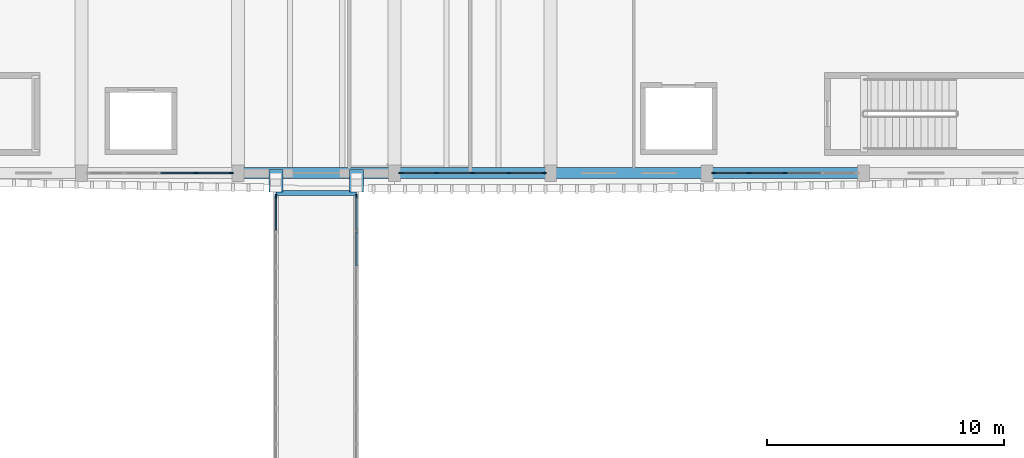
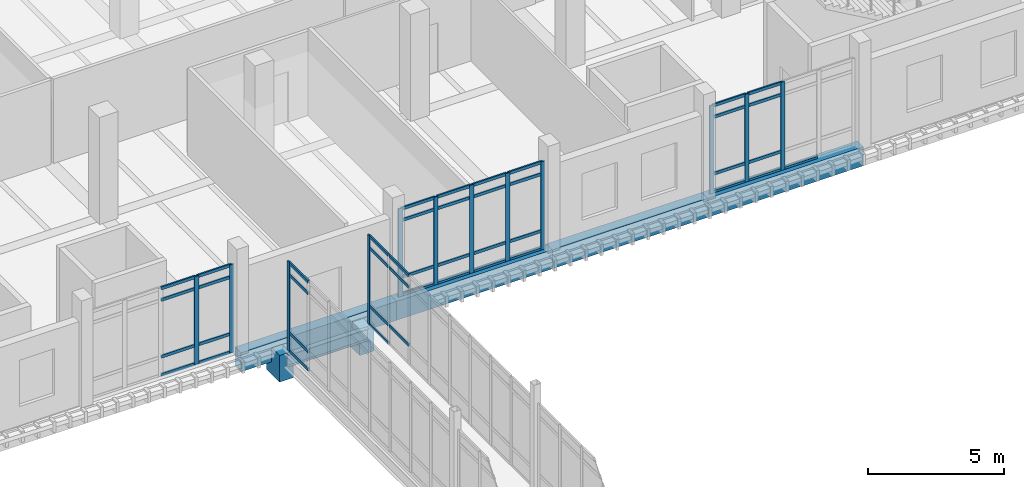
# One storey, part 58 of 125: 56 members, 7 beams, 5 elements without a shape of their own.
"""IFC4 building model written with IfcOpenShell, lengths in metres."""

from ifc_helpers import new_model, si_unit, direction, frame, origin, origin_2d, place, context, subcontext, project, spatial, rectangle, i_section, extrude, material, material_profile, profile_set, type_object, element, aggregate, save


model = new_model("IFC4")

# Units and contexts
model_context = context("Model", 3, precision=1e-05, world=origin(), true_north=direction((0.0, 1.0)))
body_context = subcontext(model_context, "Body", "Model", "MODEL_VIEW")
ifc_project = project(units=[si_unit("LENGTHUNIT", "METRE"), si_unit("AREAUNIT", "SQUARE_METRE"), si_unit("VOLUMEUNIT", "CUBIC_METRE"), si_unit("PLANEANGLEUNIT", "RADIAN"), si_unit("MASSUNIT", "GRAM", prefix="KILO")], contexts=[model_context])

# Site, building, storey
site_placement = place(None, origin())
site = spatial("IfcSite", under=ifc_project, at=site_placement, CompositionType="ELEMENT")
building_placement = place(site_placement, origin())
building = spatial("IfcBuilding", under=site, at=building_placement, Name="Dornvale Research Institute", CompositionType="ELEMENT")
storey_placement = place(building_placement, frame((0.0, 0.0, 5.39990234375)))
storey = spatial("IfcBuildingStorey", under=building, at=storey_placement, Name="L01", CompositionType="ELEMENT", Elevation=5.39990234375)

# Beam
ifc_material_1 = material(Name="Steel ASTM A992 Grade 50", Category="steel")
ifc_material_profile_1 = material_profile(ifc_material_1, i_section(OverallWidth=0.2099609375, OverallDepth=0.535888671875, WebThickness=0.010986328125, FlangeThickness=0.017333984375, at=origin_2d()), Name="W21X68")
ifc_profile_set_1 = profile_set([ifc_material_profile_1], Name="Steel ASTM A992 Grade 50")
beam_type_1 = type_object("IfcBeamType", Name="Beam_Steel_W21X68", PredefinedType="BEAM", material=ifc_profile_set_1)
beam_1_placement = place(storey_placement, frame((140.199951171875, 91.550048828125, -0.48779296875), z_axis=(1.0, 0.0, 0.0), x_axis=(0.0, 1.0, 0.0)))
element("IfcBeam", 1, at=beam_1_placement, inside=storey, type_object=beam_type_1, Name="L01 BR-7 north cross beam #2026", PredefinedType="BEAM", context=body_context, shape_type="SweptSolid", body=[
    extrude(i_section(OverallWidth=0.2099609375, OverallDepth=0.535888671875, WebThickness=0.010986328125, FlangeThickness=0.017333984375, at=origin_2d()), origin(), (0.0, 0.0, 1.0), 3.400146484375),
])

# Curtain wall, member
ifc_material_2 = material(Name="Low-E Argon Double Insulating Glazing Unit", Category="glass")
curtain_wall_type_1 = type_object("IfcCurtainWallType", Name="UnitisedCurtainWall_V2_12000x4000", PredefinedType="USERDEFINED", material=ifc_material_2)
curtain_wall_1_placement = place(storey_placement, origin())
curtain_wall_1 = element("IfcCurtainWall", 2, at=curtain_wall_1_placement, inside=storey, type_object=curtain_wall_type_1, Name="L01 V2 unitised curtain wall CW-44 #239", ObjectType="UNITISED CURTAIN WALL", PredefinedType="USERDEFINED")
ifc_material_3 = material(Name="Anodized Aluminum AA 6063-T6 Thermally Broken Frame", Category="aluminium")
ifc_material_profile_2 = material_profile(ifc_material_3, rectangle(XDim=0.06494140625, YDim=0.1650390625, at=origin_2d()), Name="ALU MULLION 65x165")
ifc_profile_set_2 = profile_set([ifc_material_profile_2], Name="Anodized Aluminum AA 6063-T6 Thermally Broken Frame")
member_type_1 = type_object("IfcMemberType", Name="Mullion_Atrium_65x165", PredefinedType="MULLION", material=ifc_profile_set_2)
member_1_placement = place(storey_placement, frame((140.199951171875, 91.41748046875, 0.0), z_axis=(0.0, 0.0, 1.0), x_axis=(-1.0, 0.0, 0.0)))
member_1 = element("IfcMember", 3, at=member_1_placement, type_object=member_type_1, Name="CW-44 mullion 9", PredefinedType="MULLION", context=body_context, shape_type="SweptSolid", body=[
    extrude(rectangle(XDim=0.06494140625, YDim=0.1650390625, at=origin_2d()), origin(), (0.0, 0.0, 1.0), 4.0),
])

curtain_wall_2_placement = place(storey_placement, origin())
curtain_wall_2 = element("IfcCurtainWall", 4, at=curtain_wall_2_placement, inside=storey, type_object=curtain_wall_type_1, Name="L01 V2 unitised curtain wall CW-44 #240", ObjectType="UNITISED CURTAIN WALL", PredefinedType="USERDEFINED")
member_2_placement = place(storey_placement, frame((143.60009765625, 91.41748046875, 0.0), z_axis=(0.0, 0.0, 1.0), x_axis=(1.0, 0.0, 0.0)))
member_2 = element("IfcMember", 5, at=member_2_placement, type_object=member_type_1, Name="CW-44 mullion 1", PredefinedType="MULLION", context=body_context, shape_type="SweptSolid", body=[
    extrude(rectangle(XDim=0.06494140625, YDim=0.1650390625, at=origin_2d()), origin(), (0.0, 0.0, 1.0), 4.0),
])

# Curtain wall, members
ifc_material_4 = material(Name="Low-E Argon Double Insulating Glazing Unit", Category="glass")
curtain_wall_type_2 = type_object("IfcCurtainWallType", Name="UnitisedCurtainWall_V4_6100x3950", PredefinedType="USERDEFINED", material=ifc_material_4)
curtain_wall_3_placement = place(storey_placement, origin())
curtain_wall_3 = element("IfcCurtainWall", 6, at=curtain_wall_3_placement, inside=storey, type_object=curtain_wall_type_2, Name="L01 V4 unitised curtain wall CW-11 #78", ObjectType="UNITISED CURTAIN WALL", PredefinedType="USERDEFINED")
ifc_material_5 = material(Name="Anodized Aluminum AA 6063-T6 Thermally Broken Frame", Category="aluminium")
ifc_material_profile_3 = material_profile(ifc_material_5, rectangle(XDim=0.06494140625, YDim=0.179931640625, at=origin_2d()), Name="ALU MULLION 65x180")
ifc_profile_set_3 = profile_set([ifc_material_profile_3], Name="Anodized Aluminum AA 6063-T6 Thermally Broken Frame")
member_type_2 = type_object("IfcMemberType", Name="Mullion_CW_65x180", PredefinedType="MULLION", material=ifc_profile_set_3)
member_3_placement = place(storey_placement, frame((161.699951171875, 92.39990234375, 0.0), z_axis=(0.0, 0.0, 1.0), x_axis=(0.0, -1.0, 0.0)))
member_3 = element("IfcMember", 7, at=member_3_placement, type_object=member_type_2, Name="CW-11 mullion 3", PredefinedType="MULLION", context=body_context, shape_type="SweptSolid", body=[
    extrude(rectangle(XDim=0.06494140625, YDim=0.179931640625, at=origin_2d()), origin(), (0.0, 0.0, 1.0), 3.9501953125),
])
member_4_placement = place(storey_placement, frame((160.175048828125, 92.39990234375, 0.0), z_axis=(0.0, 0.0, 1.0), x_axis=(0.0, -1.0, 0.0)))
member_4 = element("IfcMember", 8, at=member_4_placement, type_object=member_type_2, Name="CW-11 mullion 4", PredefinedType="MULLION", context=body_context, shape_type="SweptSolid", body=[
    extrude(rectangle(XDim=0.06494140625, YDim=0.179931640625, at=origin_2d()), origin(), (0.0, 0.0, 1.0), 3.9501953125),
])
member_5_placement = place(storey_placement, frame((158.6826171875, 92.39990234375, 0.0), z_axis=(0.0, 0.0, 1.0), x_axis=(0.0, -1.0, 0.0)))
member_5 = element("IfcMember", 9, at=member_5_placement, type_object=member_type_2, Name="CW-11 mullion 5", PredefinedType="MULLION", context=body_context, shape_type="SweptSolid", body=[
    extrude(rectangle(XDim=0.06494140625, YDim=0.179931640625, at=origin_2d()), origin(), (0.0, 0.0, 1.0), 3.9501953125),
])

curtain_wall_4_placement = place(storey_placement, origin())
curtain_wall_4 = element("IfcCurtainWall", 10, at=curtain_wall_4_placement, inside=storey, type_object=curtain_wall_type_2, Name="L01 V4 unitised curtain wall CW-11 #79", ObjectType="UNITISED CURTAIN WALL", PredefinedType="USERDEFINED")
member_6_placement = place(storey_placement, frame((151.517578125, 92.39990234375, 0.0), z_axis=(0.0, 0.0, 1.0), x_axis=(0.0, -1.0, 0.0)))
member_6 = element("IfcMember", 11, at=member_6_placement, type_object=member_type_2, Name="CW-11 mullion 1", PredefinedType="MULLION", context=body_context, shape_type="SweptSolid", body=[
    extrude(rectangle(XDim=0.06494140625, YDim=0.179931640625, at=origin_2d()), origin(), (0.0, 0.0, 1.0), 3.9501953125),
])
member_7_placement = place(storey_placement, frame((150.02490234375, 92.39990234375, 0.0), z_axis=(0.0, 0.0, 1.0), x_axis=(0.0, -1.0, 0.0)))
member_7 = element("IfcMember", 12, at=member_7_placement, type_object=member_type_2, Name="CW-11 mullion 2", PredefinedType="MULLION", context=body_context, shape_type="SweptSolid", body=[
    extrude(rectangle(XDim=0.06494140625, YDim=0.179931640625, at=origin_2d()), origin(), (0.0, 0.0, 1.0), 3.9501953125),
])
member_8_placement = place(storey_placement, frame((148.5, 92.39990234375, 0.0), z_axis=(0.0, 0.0, 1.0), x_axis=(0.0, -1.0, 0.0)))
member_8 = element("IfcMember", 13, at=member_8_placement, type_object=member_type_2, Name="CW-11 mullion 3", PredefinedType="MULLION", context=body_context, shape_type="SweptSolid", body=[
    extrude(rectangle(XDim=0.06494140625, YDim=0.179931640625, at=origin_2d()), origin(), (0.0, 0.0, 1.0), 3.9501953125),
])
member_9_placement = place(storey_placement, frame((146.97509765625, 92.39990234375, 0.0), z_axis=(0.0, 0.0, 1.0), x_axis=(0.0, -1.0, 0.0)))
member_9 = element("IfcMember", 14, at=member_9_placement, type_object=member_type_2, Name="CW-11 mullion 4", PredefinedType="MULLION", context=body_context, shape_type="SweptSolid", body=[
    extrude(rectangle(XDim=0.06494140625, YDim=0.179931640625, at=origin_2d()), origin(), (0.0, 0.0, 1.0), 3.9501953125),
])
member_10_placement = place(storey_placement, frame((145.482421875, 92.39990234375, 0.0), z_axis=(0.0, 0.0, 1.0), x_axis=(0.0, -1.0, 0.0)))
member_10 = element("IfcMember", 15, at=member_10_placement, type_object=member_type_2, Name="CW-11 mullion 5", PredefinedType="MULLION", context=body_context, shape_type="SweptSolid", body=[
    extrude(rectangle(XDim=0.06494140625, YDim=0.179931640625, at=origin_2d()), origin(), (0.0, 0.0, 1.0), 3.9501953125),
])

curtain_wall_5_placement = place(storey_placement, origin())
curtain_wall_5 = element("IfcCurtainWall", 16, at=curtain_wall_5_placement, inside=storey, type_object=curtain_wall_type_2, Name="L01 V4 unitised curtain wall CW-11 #80", ObjectType="UNITISED CURTAIN WALL", PredefinedType="USERDEFINED")
member_11_placement = place(storey_placement, frame((138.3173828125, 92.39990234375, 0.0), z_axis=(0.0, 0.0, 1.0), x_axis=(0.0, -1.0, 0.0)))
member_11 = element("IfcMember", 17, at=member_11_placement, type_object=member_type_2, Name="CW-11 mullion 1", PredefinedType="MULLION", context=body_context, shape_type="SweptSolid", body=[
    extrude(rectangle(XDim=0.06494140625, YDim=0.179931640625, at=origin_2d()), origin(), (0.0, 0.0, 1.0), 3.9501953125),
])
member_12_placement = place(storey_placement, frame((136.824951171875, 92.39990234375, 0.0), z_axis=(0.0, 0.0, 1.0), x_axis=(0.0, -1.0, 0.0)))
member_12 = element("IfcMember", 18, at=member_12_placement, type_object=member_type_2, Name="CW-11 mullion 2", PredefinedType="MULLION", context=body_context, shape_type="SweptSolid", body=[
    extrude(rectangle(XDim=0.06494140625, YDim=0.179931640625, at=origin_2d()), origin(), (0.0, 0.0, 1.0), 3.9501953125),
])

# Beams
ifc_material_6 = material(Name="Concrete f'c 45 MPa (C35/45)", Category="concrete")
ifc_material_profile_4 = material_profile(ifc_material_6, rectangle(XDim=0.449951171875, YDim=0.85009765625, at=origin_2d()), Name="RC 450x850")
ifc_profile_set_4 = profile_set([ifc_material_profile_4], Name="Concrete f'c 45 MPa (C35/45)")
beam_type_2 = type_object("IfcBeamType", Name="Spandrel_RC450x850_Ext", PredefinedType="SPANDREL", material=ifc_profile_set_4)
beam_2_placement = place(storey_placement, frame((138.60009765625, 92.39990234375, -0.4248046875), z_axis=(1.0, 0.0, 0.0), x_axis=(0.0, 1.0, 0.0)))
element("IfcBeam", 19, at=beam_2_placement, inside=storey, type_object=beam_type_2, Name="L01 perimeter spandrel #357", PredefinedType="SPANDREL", context=body_context, shape_type="SweptSolid", body=[
    extrude(rectangle(XDim=0.449951171875, YDim=0.85009765625, at=origin_2d()), origin(), (0.0, 0.0, 1.0), 6.599853515625),
])
beam_3_placement = place(storey_placement, frame((145.199951171875, 92.39990234375, -0.4248046875), z_axis=(1.0, 0.0, 0.0), x_axis=(0.0, 1.0, 0.0)))
element("IfcBeam", 20, at=beam_3_placement, inside=storey, type_object=beam_type_2, Name="L01 perimeter spandrel #358", PredefinedType="SPANDREL", context=body_context, shape_type="SweptSolid", body=[
    extrude(rectangle(XDim=0.449951171875, YDim=0.85009765625, at=origin_2d()), origin(), (0.0, 0.0, 1.0), 6.60009765625),
])
beam_4_placement = place(storey_placement, frame((151.800048828125, 92.39990234375, -0.4248046875), z_axis=(1.0, 0.0, 0.0), x_axis=(0.0, 1.0, 0.0)))
element("IfcBeam", 21, at=beam_4_placement, inside=storey, type_object=beam_type_2, Name="L01 perimeter spandrel #359", PredefinedType="SPANDREL", context=body_context, shape_type="SweptSolid", body=[
    extrude(rectangle(XDim=0.449951171875, YDim=0.85009765625, at=origin_2d()), origin(), (0.0, 0.0, 1.0), 6.599853515625),
])
beam_5_placement = place(storey_placement, frame((158.39990234375, 92.39990234375, -0.4248046875), z_axis=(1.0, 0.0, 0.0), x_axis=(0.0, 1.0, 0.0)))
element("IfcBeam", 22, at=beam_5_placement, inside=storey, type_object=beam_type_2, Name="L01 perimeter spandrel #360", PredefinedType="SPANDREL", context=body_context, shape_type="SweptSolid", body=[
    extrude(rectangle(XDim=0.449951171875, YDim=0.85009765625, at=origin_2d()), origin(), (0.0, 0.0, 1.0), 6.60009765625),
])
ifc_material_7 = material(Name="Concrete f'c 50 MPa (C40/50)", Category="concrete")
ifc_material_profile_5 = material_profile(ifc_material_7, rectangle(XDim=0.60009765625, YDim=1.199951171875, at=origin_2d()), Name="RC 600x1200")
ifc_profile_set_5 = profile_set([ifc_material_profile_5], Name="Concrete f'c 50 MPa (C40/50)")
beam_type_3 = type_object("IfcBeamType", Name="TBeam_RC600x1200_Tie", PredefinedType="T_BEAM", material=ifc_profile_set_5)
for number, where, z_axis, x_axis, name in (
    (23, (140.199951171875, 91.60009765625, -0.81982421875), (0.0, 1.0, 0.0), (-1.0, 0.0, 0.0), "L01 BR-7 800mm sliding corbel seat #2026"),
    (24, (143.60009765625, 91.60009765625, -0.81982421875), (0.0, 1.0, 0.0), (-1.0, 0.0, 0.0), "L01 BR-7 800mm sliding corbel seat #2026"),
):
    element("IfcBeam", number, at=place(storey_placement, frame(where, z_axis=z_axis, x_axis=x_axis)), inside=storey, type_object=beam_type_3, Name=name, PredefinedType="T_BEAM", context=body_context, shape_type="SweptSolid", body=[
        extrude(rectangle(XDim=0.60009765625, YDim=1.199951171875, at=origin_2d()), origin(), (0.0, 0.0, 1.0), 0.949951171875),
    ])

# Member
ifc_material_8 = material(Name="Anodized Aluminum AA 6063-T6 Thermally Broken Frame", Category="aluminium")
ifc_material_profile_6 = material_profile(ifc_material_8, rectangle(XDim=0.06494140625, YDim=0.135009765625, at=origin_2d()), Name="ALU TRANSOM 65x135")
ifc_profile_set_6 = profile_set([ifc_material_profile_6], Name="Anodized Aluminum AA 6063-T6 Thermally Broken Frame")
member_type_3 = type_object("IfcMemberType", Name="Transom_CW_65x135", PredefinedType="USERDEFINED", material=ifc_profile_set_6)
member_13_placement = place(storey_placement, frame((163.1923828125, 92.39990234375, 0.03271484375), z_axis=(-1.0, 0.0, 0.0), x_axis=(0.0, -1.0, 0.0)))
member_13 = element("IfcMember", 25, at=member_13_placement, type_object=member_type_3, Name="CW-11 transom 2.1", ObjectType="TRANSOM", PredefinedType="USERDEFINED", context=body_context, shape_type="SweptSolid", body=[
    extrude(rectangle(XDim=0.06494140625, YDim=0.135009765625, at=origin_2d()), origin(), (0.0, 0.0, 1.0), 1.4599609375),
])

member_14_placement = place(storey_placement, frame((161.66748046875, 92.39990234375, 0.03271484375), z_axis=(-1.0, 0.0, 0.0), x_axis=(0.0, -1.0, 0.0)))
member_14 = element("IfcMember", 26, at=member_14_placement, type_object=member_type_3, Name="CW-11 transom 3.1", ObjectType="TRANSOM", PredefinedType="USERDEFINED", context=body_context, shape_type="SweptSolid", body=[
    extrude(rectangle(XDim=0.06494140625, YDim=0.135009765625, at=origin_2d()), origin(), (0.0, 0.0, 1.0), 1.4599609375),
])

member_15_placement = place(storey_placement, frame((161.66748046875, 92.39990234375, 0.85009765625), z_axis=(-1.0, 0.0, 0.0), x_axis=(0.0, -1.0, 0.0)))
member_15 = element("IfcMember", 27, at=member_15_placement, type_object=member_type_3, Name="CW-11 transom 3.2", ObjectType="TRANSOM", PredefinedType="USERDEFINED", context=body_context, shape_type="SweptSolid", body=[
    extrude(rectangle(XDim=0.06494140625, YDim=0.135009765625, at=origin_2d()), origin(), (0.0, 0.0, 1.0), 1.4599609375),
])

member_16_placement = place(storey_placement, frame((161.66748046875, 92.39990234375, 3.400146484375), z_axis=(-1.0, 0.0, 0.0), x_axis=(0.0, -1.0, 0.0)))
member_16 = element("IfcMember", 28, at=member_16_placement, type_object=member_type_3, Name="CW-11 transom 3.3", ObjectType="TRANSOM", PredefinedType="USERDEFINED", context=body_context, shape_type="SweptSolid", body=[
    extrude(rectangle(XDim=0.06494140625, YDim=0.135009765625, at=origin_2d()), origin(), (0.0, 0.0, 1.0), 1.4599609375),
])

member_17_placement = place(storey_placement, frame((161.66748046875, 92.39990234375, 3.91748046875), z_axis=(-1.0, 0.0, 0.0), x_axis=(0.0, -1.0, 0.0)))
member_17 = element("IfcMember", 29, at=member_17_placement, type_object=member_type_3, Name="CW-11 transom 3.4", ObjectType="TRANSOM", PredefinedType="USERDEFINED", context=body_context, shape_type="SweptSolid", body=[
    extrude(rectangle(XDim=0.06494140625, YDim=0.135009765625, at=origin_2d()), origin(), (0.0, 0.0, 1.0), 1.4599609375),
])

member_18_placement = place(storey_placement, frame((160.142578125, 92.39990234375, 0.03271484375), z_axis=(-1.0, 0.0, 0.0), x_axis=(0.0, -1.0, 0.0)))
member_18 = element("IfcMember", 30, at=member_18_placement, type_object=member_type_3, Name="CW-11 transom 4.1", ObjectType="TRANSOM", PredefinedType="USERDEFINED", context=body_context, shape_type="SweptSolid", body=[
    extrude(rectangle(XDim=0.06494140625, YDim=0.135009765625, at=origin_2d()), origin(), (0.0, 0.0, 1.0), 1.427490234375),
])

member_19_placement = place(storey_placement, frame((160.142578125, 92.39990234375, 0.85009765625), z_axis=(-1.0, 0.0, 0.0), x_axis=(0.0, -1.0, 0.0)))
member_19 = element("IfcMember", 31, at=member_19_placement, type_object=member_type_3, Name="CW-11 transom 4.2", ObjectType="TRANSOM", PredefinedType="USERDEFINED", context=body_context, shape_type="SweptSolid", body=[
    extrude(rectangle(XDim=0.06494140625, YDim=0.135009765625, at=origin_2d()), origin(), (0.0, 0.0, 1.0), 1.427490234375),
])

member_20_placement = place(storey_placement, frame((160.142578125, 92.39990234375, 3.400146484375), z_axis=(-1.0, 0.0, 0.0), x_axis=(0.0, -1.0, 0.0)))
member_20 = element("IfcMember", 32, at=member_20_placement, type_object=member_type_3, Name="CW-11 transom 4.3", ObjectType="TRANSOM", PredefinedType="USERDEFINED", context=body_context, shape_type="SweptSolid", body=[
    extrude(rectangle(XDim=0.06494140625, YDim=0.135009765625, at=origin_2d()), origin(), (0.0, 0.0, 1.0), 1.427490234375),
])

member_21_placement = place(storey_placement, frame((160.142578125, 92.39990234375, 3.91748046875), z_axis=(-1.0, 0.0, 0.0), x_axis=(0.0, -1.0, 0.0)))
member_21 = element("IfcMember", 33, at=member_21_placement, type_object=member_type_3, Name="CW-11 transom 4.4", ObjectType="TRANSOM", PredefinedType="USERDEFINED", context=body_context, shape_type="SweptSolid", body=[
    extrude(rectangle(XDim=0.06494140625, YDim=0.135009765625, at=origin_2d()), origin(), (0.0, 0.0, 1.0), 1.427490234375),
])

aggregate(curtain_wall_3, [member_3, member_4, member_5, member_13, member_14, member_15, member_16, member_17, member_18, member_19, member_20, member_21])

member_22_placement = place(storey_placement, frame((151.485107421875, 92.39990234375, 0.03271484375), z_axis=(-1.0, 0.0, 0.0), x_axis=(0.0, -1.0, 0.0)))
member_22 = element("IfcMember", 34, at=member_22_placement, type_object=member_type_3, Name="CW-11 transom 1.1", ObjectType="TRANSOM", PredefinedType="USERDEFINED", context=body_context, shape_type="SweptSolid", body=[
    extrude(rectangle(XDim=0.06494140625, YDim=0.135009765625, at=origin_2d()), origin(), (0.0, 0.0, 1.0), 1.427490234375),
])

member_23_placement = place(storey_placement, frame((151.485107421875, 92.39990234375, 0.85009765625), z_axis=(-1.0, 0.0, 0.0), x_axis=(0.0, -1.0, 0.0)))
member_23 = element("IfcMember", 35, at=member_23_placement, type_object=member_type_3, Name="CW-11 transom 1.2", ObjectType="TRANSOM", PredefinedType="USERDEFINED", context=body_context, shape_type="SweptSolid", body=[
    extrude(rectangle(XDim=0.06494140625, YDim=0.135009765625, at=origin_2d()), origin(), (0.0, 0.0, 1.0), 1.427490234375),
])

member_24_placement = place(storey_placement, frame((151.485107421875, 92.39990234375, 3.400146484375), z_axis=(-1.0, 0.0, 0.0), x_axis=(0.0, -1.0, 0.0)))
member_24 = element("IfcMember", 36, at=member_24_placement, type_object=member_type_3, Name="CW-11 transom 1.3", ObjectType="TRANSOM", PredefinedType="USERDEFINED", context=body_context, shape_type="SweptSolid", body=[
    extrude(rectangle(XDim=0.06494140625, YDim=0.135009765625, at=origin_2d()), origin(), (0.0, 0.0, 1.0), 1.427490234375),
])

member_25_placement = place(storey_placement, frame((151.485107421875, 92.39990234375, 3.91748046875), z_axis=(-1.0, 0.0, 0.0), x_axis=(0.0, -1.0, 0.0)))
member_25 = element("IfcMember", 37, at=member_25_placement, type_object=member_type_3, Name="CW-11 transom 1.4", ObjectType="TRANSOM", PredefinedType="USERDEFINED", context=body_context, shape_type="SweptSolid", body=[
    extrude(rectangle(XDim=0.06494140625, YDim=0.135009765625, at=origin_2d()), origin(), (0.0, 0.0, 1.0), 1.427490234375),
])

member_26_placement = place(storey_placement, frame((149.992431640625, 92.39990234375, 0.03271484375), z_axis=(-1.0, 0.0, 0.0), x_axis=(0.0, -1.0, 0.0)))
member_26 = element("IfcMember", 38, at=member_26_placement, type_object=member_type_3, Name="CW-11 transom 2.1", ObjectType="TRANSOM", PredefinedType="USERDEFINED", context=body_context, shape_type="SweptSolid", body=[
    extrude(rectangle(XDim=0.06494140625, YDim=0.135009765625, at=origin_2d()), origin(), (0.0, 0.0, 1.0), 1.4599609375),
])

member_27_placement = place(storey_placement, frame((149.992431640625, 92.39990234375, 0.85009765625), z_axis=(-1.0, 0.0, 0.0), x_axis=(0.0, -1.0, 0.0)))
member_27 = element("IfcMember", 39, at=member_27_placement, type_object=member_type_3, Name="CW-11 transom 2.2", ObjectType="TRANSOM", PredefinedType="USERDEFINED", context=body_context, shape_type="SweptSolid", body=[
    extrude(rectangle(XDim=0.06494140625, YDim=0.135009765625, at=origin_2d()), origin(), (0.0, 0.0, 1.0), 1.4599609375),
])

member_28_placement = place(storey_placement, frame((149.992431640625, 92.39990234375, 3.400146484375), z_axis=(-1.0, 0.0, 0.0), x_axis=(0.0, -1.0, 0.0)))
member_28 = element("IfcMember", 40, at=member_28_placement, type_object=member_type_3, Name="CW-11 transom 2.3", ObjectType="TRANSOM", PredefinedType="USERDEFINED", context=body_context, shape_type="SweptSolid", body=[
    extrude(rectangle(XDim=0.06494140625, YDim=0.135009765625, at=origin_2d()), origin(), (0.0, 0.0, 1.0), 1.4599609375),
])

member_29_placement = place(storey_placement, frame((149.992431640625, 92.39990234375, 3.91748046875), z_axis=(-1.0, 0.0, 0.0), x_axis=(0.0, -1.0, 0.0)))
member_29 = element("IfcMember", 41, at=member_29_placement, type_object=member_type_3, Name="CW-11 transom 2.4", ObjectType="TRANSOM", PredefinedType="USERDEFINED", context=body_context, shape_type="SweptSolid", body=[
    extrude(rectangle(XDim=0.06494140625, YDim=0.135009765625, at=origin_2d()), origin(), (0.0, 0.0, 1.0), 1.4599609375),
])

member_30_placement = place(storey_placement, frame((148.467529296875, 92.39990234375, 0.03271484375), z_axis=(-1.0, 0.0, 0.0), x_axis=(0.0, -1.0, 0.0)))
member_30 = element("IfcMember", 42, at=member_30_placement, type_object=member_type_3, Name="CW-11 transom 3.1", ObjectType="TRANSOM", PredefinedType="USERDEFINED", context=body_context, shape_type="SweptSolid", body=[
    extrude(rectangle(XDim=0.06494140625, YDim=0.135009765625, at=origin_2d()), origin(), (0.0, 0.0, 1.0), 1.4599609375),
])

member_31_placement = place(storey_placement, frame((148.467529296875, 92.39990234375, 0.85009765625), z_axis=(-1.0, 0.0, 0.0), x_axis=(0.0, -1.0, 0.0)))
member_31 = element("IfcMember", 43, at=member_31_placement, type_object=member_type_3, Name="CW-11 transom 3.2", ObjectType="TRANSOM", PredefinedType="USERDEFINED", context=body_context, shape_type="SweptSolid", body=[
    extrude(rectangle(XDim=0.06494140625, YDim=0.135009765625, at=origin_2d()), origin(), (0.0, 0.0, 1.0), 1.4599609375),
])

member_32_placement = place(storey_placement, frame((148.467529296875, 92.39990234375, 3.400146484375), z_axis=(-1.0, 0.0, 0.0), x_axis=(0.0, -1.0, 0.0)))
member_32 = element("IfcMember", 44, at=member_32_placement, type_object=member_type_3, Name="CW-11 transom 3.3", ObjectType="TRANSOM", PredefinedType="USERDEFINED", context=body_context, shape_type="SweptSolid", body=[
    extrude(rectangle(XDim=0.06494140625, YDim=0.135009765625, at=origin_2d()), origin(), (0.0, 0.0, 1.0), 1.4599609375),
])

member_33_placement = place(storey_placement, frame((148.467529296875, 92.39990234375, 3.91748046875), z_axis=(-1.0, 0.0, 0.0), x_axis=(0.0, -1.0, 0.0)))
member_33 = element("IfcMember", 45, at=member_33_placement, type_object=member_type_3, Name="CW-11 transom 3.4", ObjectType="TRANSOM", PredefinedType="USERDEFINED", context=body_context, shape_type="SweptSolid", body=[
    extrude(rectangle(XDim=0.06494140625, YDim=0.135009765625, at=origin_2d()), origin(), (0.0, 0.0, 1.0), 1.4599609375),
])

member_34_placement = place(storey_placement, frame((146.9423828125, 92.39990234375, 0.03271484375), z_axis=(-1.0, 0.0, 0.0), x_axis=(0.0, -1.0, 0.0)))
member_34 = element("IfcMember", 46, at=member_34_placement, type_object=member_type_3, Name="CW-11 transom 4.1", ObjectType="TRANSOM", PredefinedType="USERDEFINED", context=body_context, shape_type="SweptSolid", body=[
    extrude(rectangle(XDim=0.06494140625, YDim=0.135009765625, at=origin_2d()), origin(), (0.0, 0.0, 1.0), 1.427490234375),
])

member_35_placement = place(storey_placement, frame((146.9423828125, 92.39990234375, 0.85009765625), z_axis=(-1.0, 0.0, 0.0), x_axis=(0.0, -1.0, 0.0)))
member_35 = element("IfcMember", 47, at=member_35_placement, type_object=member_type_3, Name="CW-11 transom 4.2", ObjectType="TRANSOM", PredefinedType="USERDEFINED", context=body_context, shape_type="SweptSolid", body=[
    extrude(rectangle(XDim=0.06494140625, YDim=0.135009765625, at=origin_2d()), origin(), (0.0, 0.0, 1.0), 1.427490234375),
])

member_36_placement = place(storey_placement, frame((146.9423828125, 92.39990234375, 3.400146484375), z_axis=(-1.0, 0.0, 0.0), x_axis=(0.0, -1.0, 0.0)))
member_36 = element("IfcMember", 48, at=member_36_placement, type_object=member_type_3, Name="CW-11 transom 4.3", ObjectType="TRANSOM", PredefinedType="USERDEFINED", context=body_context, shape_type="SweptSolid", body=[
    extrude(rectangle(XDim=0.06494140625, YDim=0.135009765625, at=origin_2d()), origin(), (0.0, 0.0, 1.0), 1.427490234375),
])

member_37_placement = place(storey_placement, frame((146.9423828125, 92.39990234375, 3.91748046875), z_axis=(-1.0, 0.0, 0.0), x_axis=(0.0, -1.0, 0.0)))
member_37 = element("IfcMember", 49, at=member_37_placement, type_object=member_type_3, Name="CW-11 transom 4.4", ObjectType="TRANSOM", PredefinedType="USERDEFINED", context=body_context, shape_type="SweptSolid", body=[
    extrude(rectangle(XDim=0.06494140625, YDim=0.135009765625, at=origin_2d()), origin(), (0.0, 0.0, 1.0), 1.427490234375),
])

aggregate(curtain_wall_4, [member_6, member_7, member_8, member_9, member_10, member_22, member_23, member_24, member_25, member_26, member_27, member_28, member_29, member_30, member_31, member_32, member_33, member_34, member_35, member_36, member_37])

member_38_placement = place(storey_placement, frame((138.284912109375, 92.39990234375, 0.03271484375), z_axis=(-1.0, 0.0, 0.0), x_axis=(0.0, -1.0, 0.0)))
member_38 = element("IfcMember", 50, at=member_38_placement, type_object=member_type_3, Name="CW-11 transom 1.1", ObjectType="TRANSOM", PredefinedType="USERDEFINED", context=body_context, shape_type="SweptSolid", body=[
    extrude(rectangle(XDim=0.06494140625, YDim=0.135009765625, at=origin_2d()), origin(), (0.0, 0.0, 1.0), 1.427490234375),
])

member_39_placement = place(storey_placement, frame((138.284912109375, 92.39990234375, 0.85009765625), z_axis=(-1.0, 0.0, 0.0), x_axis=(0.0, -1.0, 0.0)))
member_39 = element("IfcMember", 51, at=member_39_placement, type_object=member_type_3, Name="CW-11 transom 1.2", ObjectType="TRANSOM", PredefinedType="USERDEFINED", context=body_context, shape_type="SweptSolid", body=[
    extrude(rectangle(XDim=0.06494140625, YDim=0.135009765625, at=origin_2d()), origin(), (0.0, 0.0, 1.0), 1.427490234375),
])

member_40_placement = place(storey_placement, frame((138.284912109375, 92.39990234375, 3.400146484375), z_axis=(-1.0, 0.0, 0.0), x_axis=(0.0, -1.0, 0.0)))
member_40 = element("IfcMember", 52, at=member_40_placement, type_object=member_type_3, Name="CW-11 transom 1.3", ObjectType="TRANSOM", PredefinedType="USERDEFINED", context=body_context, shape_type="SweptSolid", body=[
    extrude(rectangle(XDim=0.06494140625, YDim=0.135009765625, at=origin_2d()), origin(), (0.0, 0.0, 1.0), 1.427490234375),
])

member_41_placement = place(storey_placement, frame((138.284912109375, 92.39990234375, 3.91748046875), z_axis=(-1.0, 0.0, 0.0), x_axis=(0.0, -1.0, 0.0)))
member_41 = element("IfcMember", 53, at=member_41_placement, type_object=member_type_3, Name="CW-11 transom 1.4", ObjectType="TRANSOM", PredefinedType="USERDEFINED", context=body_context, shape_type="SweptSolid", body=[
    extrude(rectangle(XDim=0.06494140625, YDim=0.135009765625, at=origin_2d()), origin(), (0.0, 0.0, 1.0), 1.427490234375),
])

member_42_placement = place(storey_placement, frame((136.79248046875, 92.39990234375, 0.03271484375), z_axis=(-1.0, 0.0, 0.0), x_axis=(0.0, -1.0, 0.0)))
member_42 = element("IfcMember", 54, at=member_42_placement, type_object=member_type_3, Name="CW-11 transom 2.1", ObjectType="TRANSOM", PredefinedType="USERDEFINED", context=body_context, shape_type="SweptSolid", body=[
    extrude(rectangle(XDim=0.06494140625, YDim=0.135009765625, at=origin_2d()), origin(), (0.0, 0.0, 1.0), 1.4599609375),
])

member_43_placement = place(storey_placement, frame((136.79248046875, 92.39990234375, 0.85009765625), z_axis=(-1.0, 0.0, 0.0), x_axis=(0.0, -1.0, 0.0)))
member_43 = element("IfcMember", 55, at=member_43_placement, type_object=member_type_3, Name="CW-11 transom 2.2", ObjectType="TRANSOM", PredefinedType="USERDEFINED", context=body_context, shape_type="SweptSolid", body=[
    extrude(rectangle(XDim=0.06494140625, YDim=0.135009765625, at=origin_2d()), origin(), (0.0, 0.0, 1.0), 1.4599609375),
])

member_44_placement = place(storey_placement, frame((136.79248046875, 92.39990234375, 3.400146484375), z_axis=(-1.0, 0.0, 0.0), x_axis=(0.0, -1.0, 0.0)))
member_44 = element("IfcMember", 56, at=member_44_placement, type_object=member_type_3, Name="CW-11 transom 2.3", ObjectType="TRANSOM", PredefinedType="USERDEFINED", context=body_context, shape_type="SweptSolid", body=[
    extrude(rectangle(XDim=0.06494140625, YDim=0.135009765625, at=origin_2d()), origin(), (0.0, 0.0, 1.0), 1.4599609375),
])

member_45_placement = place(storey_placement, frame((136.79248046875, 92.39990234375, 3.91748046875), z_axis=(-1.0, 0.0, 0.0), x_axis=(0.0, -1.0, 0.0)))
member_45 = element("IfcMember", 57, at=member_45_placement, type_object=member_type_3, Name="CW-11 transom 2.4", ObjectType="TRANSOM", PredefinedType="USERDEFINED", context=body_context, shape_type="SweptSolid", body=[
    extrude(rectangle(XDim=0.06494140625, YDim=0.135009765625, at=origin_2d()), origin(), (0.0, 0.0, 1.0), 1.4599609375),
])

aggregate(curtain_wall_5, [member_11, member_12, member_38, member_39, member_40, member_41, member_42, member_43, member_44, member_45])

member_46_placement = place(storey_placement, frame((140.199951171875, 89.982421875, 0.03271484375), z_axis=(0.0, 1.0, 0.0), x_axis=(-1.0, 0.0, 0.0)))
member_46 = element("IfcMember", 58, at=member_46_placement, type_object=member_type_3, Name="CW-44 transom 8.1", ObjectType="TRANSOM", PredefinedType="USERDEFINED", context=body_context, shape_type="SweptSolid", body=[
    extrude(rectangle(XDim=0.06494140625, YDim=0.135009765625, at=origin_2d()), origin(), (0.0, 0.0, 1.0), 1.402587890625),
])

member_47_placement = place(storey_placement, frame((140.199951171875, 89.982421875, 0.85009765625), z_axis=(0.0, 1.0, 0.0), x_axis=(-1.0, 0.0, 0.0)))
member_47 = element("IfcMember", 59, at=member_47_placement, type_object=member_type_3, Name="CW-44 transom 8.2", ObjectType="TRANSOM", PredefinedType="USERDEFINED", context=body_context, shape_type="SweptSolid", body=[
    extrude(rectangle(XDim=0.06494140625, YDim=0.135009765625, at=origin_2d()), origin(), (0.0, 0.0, 1.0), 1.402587890625),
])

member_48_placement = place(storey_placement, frame((140.199951171875, 89.982421875, 3.4501953125), z_axis=(0.0, 1.0, 0.0), x_axis=(-1.0, 0.0, 0.0)))
member_48 = element("IfcMember", 60, at=member_48_placement, type_object=member_type_3, Name="CW-44 transom 8.3", ObjectType="TRANSOM", PredefinedType="USERDEFINED", context=body_context, shape_type="SweptSolid", body=[
    extrude(rectangle(XDim=0.06494140625, YDim=0.135009765625, at=origin_2d()), origin(), (0.0, 0.0, 1.0), 1.402587890625),
])

member_49_placement = place(storey_placement, frame((140.199951171875, 89.982421875, 3.967529296875), z_axis=(0.0, 1.0, 0.0), x_axis=(-1.0, 0.0, 0.0)))
member_49 = element("IfcMember", 61, at=member_49_placement, type_object=member_type_3, Name="CW-44 transom 8.4", ObjectType="TRANSOM", PredefinedType="USERDEFINED", context=body_context, shape_type="SweptSolid", body=[
    extrude(rectangle(XDim=0.06494140625, YDim=0.135009765625, at=origin_2d()), origin(), (0.0, 0.0, 1.0), 1.402587890625),
])

aggregate(curtain_wall_1, [member_1, member_46, member_47, member_48, member_49])

member_50_placement = place(storey_placement, frame((143.60009765625, 91.385009765625, 0.03271484375), z_axis=(0.0, -1.0, 0.0), x_axis=(1.0, 0.0, 0.0)))
member_50 = element("IfcMember", 62, at=member_50_placement, type_object=member_type_3, Name="CW-44 transom 1.1", ObjectType="TRANSOM", PredefinedType="USERDEFINED", context=body_context, shape_type="SweptSolid", body=[
    extrude(rectangle(XDim=0.06494140625, YDim=0.135009765625, at=origin_2d()), origin(), (0.0, 0.0, 1.0), 1.402587890625),
])

member_51_placement = place(storey_placement, frame((143.60009765625, 91.385009765625, 0.85009765625), z_axis=(0.0, -1.0, 0.0), x_axis=(1.0, 0.0, 0.0)))
member_51 = element("IfcMember", 63, at=member_51_placement, type_object=member_type_3, Name="CW-44 transom 1.2", ObjectType="TRANSOM", PredefinedType="USERDEFINED", context=body_context, shape_type="SweptSolid", body=[
    extrude(rectangle(XDim=0.06494140625, YDim=0.135009765625, at=origin_2d()), origin(), (0.0, 0.0, 1.0), 1.402587890625),
])

member_52_placement = place(storey_placement, frame((143.60009765625, 91.385009765625, 3.4501953125), z_axis=(0.0, -1.0, 0.0), x_axis=(1.0, 0.0, 0.0)))
member_52 = element("IfcMember", 64, at=member_52_placement, type_object=member_type_3, Name="CW-44 transom 1.3", ObjectType="TRANSOM", PredefinedType="USERDEFINED", context=body_context, shape_type="SweptSolid", body=[
    extrude(rectangle(XDim=0.06494140625, YDim=0.135009765625, at=origin_2d()), origin(), (0.0, 0.0, 1.0), 1.402587890625),
])

member_53_placement = place(storey_placement, frame((143.60009765625, 91.385009765625, 3.967529296875), z_axis=(0.0, -1.0, 0.0), x_axis=(1.0, 0.0, 0.0)))
member_53 = element("IfcMember", 65, at=member_53_placement, type_object=member_type_3, Name="CW-44 transom 1.4", ObjectType="TRANSOM", PredefinedType="USERDEFINED", context=body_context, shape_type="SweptSolid", body=[
    extrude(rectangle(XDim=0.06494140625, YDim=0.135009765625, at=origin_2d()), origin(), (0.0, 0.0, 1.0), 1.402587890625),
])

member_54_placement = place(storey_placement, frame((143.60009765625, 89.91748046875, 0.85009765625), z_axis=(0.0, -1.0, 0.0), x_axis=(1.0, 0.0, 0.0)))
member_54 = element("IfcMember", 66, at=member_54_placement, type_object=member_type_3, Name="CW-44 transom 2.2", ObjectType="TRANSOM", PredefinedType="USERDEFINED", context=body_context, shape_type="SweptSolid", body=[
    extrude(rectangle(XDim=0.06494140625, YDim=0.135009765625, at=origin_2d()), origin(), (0.0, 0.0, 1.0), 1.43505859375),
])

member_55_placement = place(storey_placement, frame((143.60009765625, 89.91748046875, 3.4501953125), z_axis=(0.0, -1.0, 0.0), x_axis=(1.0, 0.0, 0.0)))
member_55 = element("IfcMember", 67, at=member_55_placement, type_object=member_type_3, Name="CW-44 transom 2.3", ObjectType="TRANSOM", PredefinedType="USERDEFINED", context=body_context, shape_type="SweptSolid", body=[
    extrude(rectangle(XDim=0.06494140625, YDim=0.135009765625, at=origin_2d()), origin(), (0.0, 0.0, 1.0), 1.43505859375),
])

member_56_placement = place(storey_placement, frame((143.60009765625, 89.91748046875, 3.967529296875), z_axis=(0.0, -1.0, 0.0), x_axis=(1.0, 0.0, 0.0)))
member_56 = element("IfcMember", 68, at=member_56_placement, type_object=member_type_3, Name="CW-44 transom 2.4", ObjectType="TRANSOM", PredefinedType="USERDEFINED", context=body_context, shape_type="SweptSolid", body=[
    extrude(rectangle(XDim=0.06494140625, YDim=0.135009765625, at=origin_2d()), origin(), (0.0, 0.0, 1.0), 1.43505859375),
])

aggregate(curtain_wall_2, [member_2, member_50, member_51, member_52, member_53, member_54, member_55, member_56])

save(model, "model.ifc")
